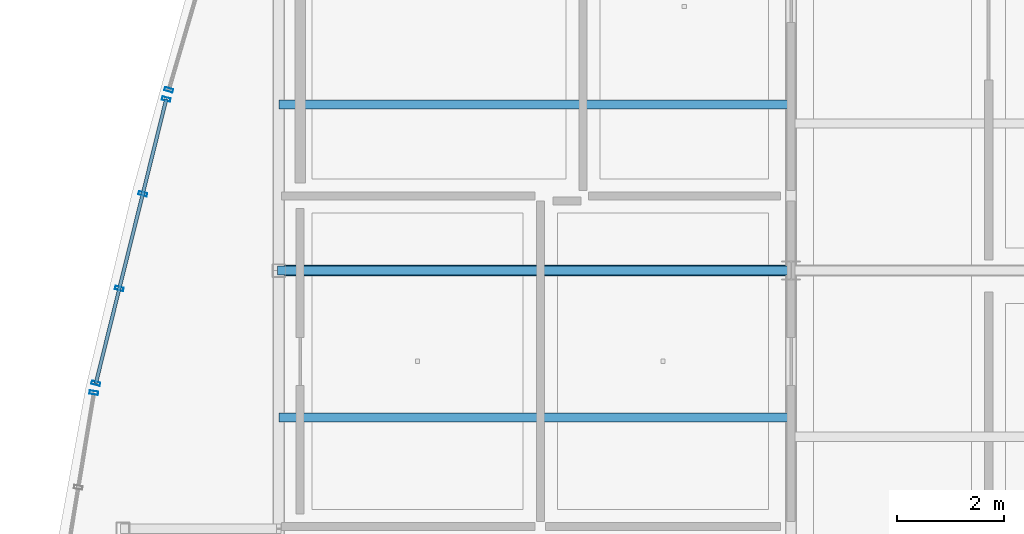
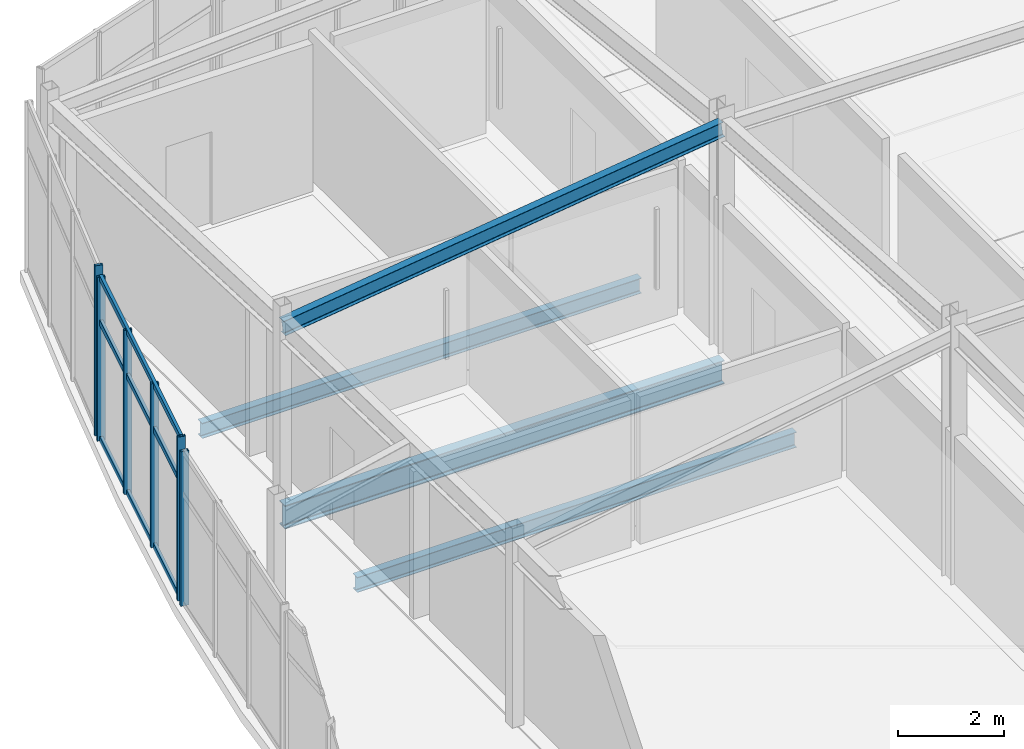
# One storey, part 28 of 114: 10 members, 3 beams, 3 elements without a shape of their own.
"""IFC4 building model written with IfcOpenShell, lengths in metres."""

from ifc_helpers import new_model, si_unit, direction, frame, origin, origin_2d, place, context, subcontext, project, spatial, hollow_rectangle, i_section, extrude, material, layer, layer_set, material_profile, profile_set, type_object, element, aggregate, save


model = new_model("IFC4")

# Units and contexts
model_context = context("Model", 3, precision=1e-05, world=origin(), true_north=direction((0.0, 1.0)))
body_context = subcontext(model_context, "Body", "Model", "MODEL_VIEW")
ifc_project = project(units=[si_unit("LENGTHUNIT", "METRE"), si_unit("AREAUNIT", "SQUARE_METRE"), si_unit("VOLUMEUNIT", "CUBIC_METRE"), si_unit("PLANEANGLEUNIT", "RADIAN"), si_unit("MASSUNIT", "GRAM", prefix="KILO")], contexts=[model_context])

# Site, building, storey
site_placement = place(None, origin())
site = spatial("IfcSite", under=ifc_project, at=site_placement, CompositionType="ELEMENT")
building_placement = place(site_placement, origin())
building = spatial("IfcBuilding", under=site, at=building_placement, Name="Chalmorin Arch Market", CompositionType="ELEMENT")
storey_placement = place(building_placement, frame((0.0, 0.0, 9.60009765625)))
storey = spatial("IfcBuildingStorey", under=building, at=storey_placement, Name="L02", CompositionType="ELEMENT", Elevation=9.60009765625)

# Curtain wall, member
ifc_material_1 = material(Name="Aluminium 6063-T6", Category="aluminium")
ifc_layer_1 = layer(ifc_material_1, 0.159912109375)
ifc_layer_set_1 = layer_set([ifc_layer_1], Name="Aluminium 6063-T6")
curtain_wall_type_1 = type_object("IfcCurtainWallType", Name="RiverfrontStorefrontCurtainWall-CW2-5390x3570", PredefinedType="NOTDEFINED", material=ifc_layer_set_1)
curtain_wall_1_placement = place(storey_placement, origin())
curtain_wall_1 = element("IfcCurtainWall", 1, at=curtain_wall_1_placement, inside=storey, type_object=curtain_wall_type_1, Name="CW-02-062", PredefinedType="NOTDEFINED")
ifc_material_profile_1 = material_profile(ifc_material_1, hollow_rectangle(XDim=0.06494140625, YDim=0.159912109375, WallThickness=0.00390625, at=origin_2d()), Name="ALU65X160X4")
ifc_profile_set_1 = profile_set([ifc_material_profile_1], Name="Aluminium 6063-T6")
member_type_1 = type_object("IfcMemberType", Name="CurtainWallMullion-65x160", PredefinedType="MULLION", material=ifc_profile_set_1)
member_1_placement = place(storey_placement, frame((-3.464599609375, 38.9111328125, 0.0), z_axis=(0.0, 0.0, 1.0), x_axis=(0.15643446504, 0.987688340595, 0.0)))
member_1 = element("IfcMember", 2, at=member_1_placement, type_object=member_type_1, Name="ML-062-04", PredefinedType="MULLION", context=body_context, shape_type="SweptSolid", body=[
    extrude(hollow_rectangle(XDim=0.06494140625, YDim=0.159912109375, WallThickness=0.00390625, at=origin_2d()), origin(), (0.0, 0.0, 1.0), 3.56982421875),
])
aggregate(curtain_wall_1, [member_1])

# Curtain wall, members
ifc_layer_2 = layer(ifc_material_1, 0.159912109375)
ifc_layer_set_2 = layer_set([ifc_layer_2], Name="Aluminium 6063-T6")
curtain_wall_type_2 = type_object("IfcCurtainWallType", Name="RiverfrontStorefrontCurtainWall-CW2-5490x3780", PredefinedType="NOTDEFINED", material=ifc_layer_set_2)
curtain_wall_2_placement = place(storey_placement, origin())
curtain_wall_2 = element("IfcCurtainWall", 3, at=curtain_wall_2_placement, inside=storey, type_object=curtain_wall_type_2, Name="CW-02-065", PredefinedType="NOTDEFINED")
member_2_placement = place(storey_placement, frame((-3.428466796875, 39.08740234375, 0.0), z_axis=(0.0, 0.0, 1.0), x_axis=(0.2419218956, 0.970295726276, 0.0)))
member_2 = element("IfcMember", 4, at=member_2_placement, type_object=member_type_1, Name="ML-065-01", PredefinedType="MULLION", context=body_context, shape_type="SweptSolid", body=[
    extrude(hollow_rectangle(XDim=0.06494140625, YDim=0.159912109375, WallThickness=0.00390625, at=origin_2d()), origin(), (0.0, 0.0, 1.0), 3.784912109375),
])
member_3_placement = place(storey_placement, frame((-2.988525390625, 40.862548828125, 0.0), z_axis=(0.0, 0.0, 1.0), x_axis=(0.2419218956, 0.970295726276, 0.0)))
member_3 = element("IfcMember", 5, at=member_3_placement, type_object=member_type_1, Name="ML-065-02", PredefinedType="MULLION", context=body_context, shape_type="SweptSolid", body=[
    extrude(hollow_rectangle(XDim=0.06494140625, YDim=0.159912109375, WallThickness=0.00390625, at=origin_2d()), origin(), (0.0, 0.0, 1.0), 3.784912109375),
])
member_4_placement = place(storey_placement, frame((-2.548583984375, 42.637451171875, 0.0), z_axis=(0.0, 0.0, 1.0), x_axis=(0.2419218956, 0.970295726276, 0.0)))
member_4 = element("IfcMember", 6, at=member_4_placement, type_object=member_type_1, Name="ML-065-03", PredefinedType="MULLION", context=body_context, shape_type="SweptSolid", body=[
    extrude(hollow_rectangle(XDim=0.06494140625, YDim=0.159912109375, WallThickness=0.00390625, at=origin_2d()), origin(), (0.0, 0.0, 1.0), 3.784912109375),
])
member_5_placement = place(storey_placement, frame((-2.108642578125, 44.41259765625, 0.0), z_axis=(0.0, 0.0, 1.0), x_axis=(0.2419218956, 0.970295726276, 0.0)))
member_5 = element("IfcMember", 7, at=member_5_placement, type_object=member_type_1, Name="ML-065-04", PredefinedType="MULLION", context=body_context, shape_type="SweptSolid", body=[
    extrude(hollow_rectangle(XDim=0.06494140625, YDim=0.159912109375, WallThickness=0.00390625, at=origin_2d()), origin(), (0.0, 0.0, 1.0), 3.784912109375),
])

# Curtain wall, member
ifc_layer_3 = layer(ifc_material_1, 0.159912109375)
ifc_layer_set_3 = layer_set([ifc_layer_3], Name="Aluminium 6063-T6")
curtain_wall_type_3 = type_object("IfcCurtainWallType", Name="RiverfrontStorefrontCurtainWall-CW2-5550x3930", PredefinedType="NOTDEFINED", material=ifc_layer_set_3)
curtain_wall_3_placement = place(storey_placement, origin())
curtain_wall_3 = element("IfcCurtainWall", 8, at=curtain_wall_3_placement, inside=storey, type_object=curtain_wall_type_3, Name="CW-02-068", PredefinedType="NOTDEFINED")
member_6_placement = place(storey_placement, frame((-2.061767578125, 44.58642578125, 0.0), z_axis=(0.0, 0.0, 1.0), x_axis=(0.275637355817, 0.961261695938, 0.0)))
member_6 = element("IfcMember", 9, at=member_6_placement, type_object=member_type_1, Name="ML-068-01", PredefinedType="MULLION", context=body_context, shape_type="SweptSolid", body=[
    extrude(hollow_rectangle(XDim=0.06494140625, YDim=0.159912109375, WallThickness=0.00390625, at=origin_2d()), origin(), (0.0, 0.0, 1.0), 3.927001953125),
])
aggregate(curtain_wall_3, [member_6])

# Member
ifc_material_profile_2 = material_profile(ifc_material_1, hollow_rectangle(XDim=0.06494140625, YDim=0.1298828125, WallThickness=0.00390625, at=origin_2d()), Name="ALU65X130X4")
ifc_profile_set_2 = profile_set([ifc_material_profile_2], Name="Aluminium 6063-T6")
member_type_2 = type_object("IfcMemberType", Name="CurtainWallTransom-65x130", PredefinedType="USERDEFINED", material=ifc_profile_set_2)
member_7_placement = place(storey_placement, frame((-3.428466796875, 39.08740234375, 0.034912109375), z_axis=(0.240566657981, 0.970632620031, 0.0), x_axis=(-0.970632620031, 0.240566657981, 0.0)))
member_7 = element("IfcMember", 10, at=member_7_placement, type_object=member_type_2, Name="TR-065-01", ObjectType="TRANSOM", PredefinedType="USERDEFINED", context=body_context, shape_type="SweptSolid", body=[
    extrude(hollow_rectangle(XDim=0.06494140625, YDim=0.1298828125, WallThickness=0.00390625, at=origin_2d()), origin(), (0.0, 0.0, 1.0), 5.486328125),
])

member_8_placement = place(storey_placement, frame((-3.428466796875, 39.08740234375, 2.72509765625), z_axis=(0.240566657981, 0.970632620031, 0.0), x_axis=(-0.970632620031, 0.240566657981, 0.0)))
member_8 = element("IfcMember", 11, at=member_8_placement, type_object=member_type_2, Name="TR-065-02", ObjectType="TRANSOM", PredefinedType="USERDEFINED", context=body_context, shape_type="SweptSolid", body=[
    extrude(hollow_rectangle(XDim=0.06494140625, YDim=0.1298828125, WallThickness=0.00390625, at=origin_2d()), origin(), (0.0, 0.0, 1.0), 5.486328125),
])

member_9_placement = place(storey_placement, frame((-3.428466796875, 39.08740234375, 3.75), z_axis=(0.240566657981, 0.970632620031, 0.0), x_axis=(-0.970632620031, 0.240566657981, 0.0)))
member_9 = element("IfcMember", 12, at=member_9_placement, type_object=member_type_2, Name="TR-065-03", ObjectType="TRANSOM", PredefinedType="USERDEFINED", context=body_context, shape_type="SweptSolid", body=[
    extrude(hollow_rectangle(XDim=0.06494140625, YDim=0.1298828125, WallThickness=0.00390625, at=origin_2d()), origin(), (0.0, 0.0, 1.0), 5.486328125),
])

aggregate(curtain_wall_2, [member_2, member_3, member_4, member_5, member_7, member_8, member_9])

# Beam
ifc_material_2 = material(Name="Steel A992 Grade 50", Category="steel")
ifc_material_profile_3 = material_profile(ifc_material_2, i_section(OverallWidth=0.2119140625, OverallDepth=0.5439453125, WebThickness=0.01318359375, FlangeThickness=0.021240234375, FilletRadius=0.02197265625, at=origin_2d()), Name="W21X83")
ifc_profile_set_3 = profile_set([ifc_material_profile_3], Name="Steel A992 Grade 50")
beam_type_1 = type_object("IfcBeamType", Name="PrimarySteelGirder-W21X83", PredefinedType="BEAM", material=ifc_profile_set_3)
beam_placement = place(storey_placement, frame((0.0, 41.199951171875, -0.524169921875), z_axis=(1.0, 0.0, 0.0), x_axis=(0.0, 1.0, 0.0)))
element("IfcBeam", 13, at=beam_placement, inside=storey, type_object=beam_type_1, Name="BG-W21A-1144", PredefinedType="BEAM", context=body_context, shape_type="SweptSolid", body=[
    extrude(i_section(OverallWidth=0.2119140625, OverallDepth=0.5439453125, WebThickness=0.01318359375, FlangeThickness=0.021240234375, FilletRadius=0.02197265625, at=origin_2d()), origin(), (0.0, 0.0, 1.0), 9.60009765625),
])

# Member
ifc_material_profile_4 = material_profile(ifc_material_2, i_section(OverallWidth=0.1708984375, OverallDepth=0.35107421875, WebThickness=0.0068359375, FlangeThickness=0.009765625, FilletRadius=0.014892578125, at=origin_2d()), Name="W14X30")
ifc_profile_set_4 = profile_set([ifc_material_profile_4], Name="Steel A992 Grade 50")
member_type_3 = type_object("IfcMemberType", Name="RoofSteelPurlin-W14X30", PredefinedType="PURLIN", material=ifc_profile_set_4)
member_10_placement = place(storey_placement, frame((0.0, 41.199951171875, 3.822998046875), z_axis=(0.991697027982, 0.0, 0.128596285684), x_axis=(0.0, 1.0, 0.0)))
element("IfcMember", 14, at=member_10_placement, inside=storey, type_object=member_type_3, Name="PR-W14-0028", PredefinedType="PURLIN", context=body_context, shape_type="SweptSolid", body=[
    extrude(i_section(OverallWidth=0.1708984375, OverallDepth=0.35107421875, WebThickness=0.0068359375, FlangeThickness=0.009765625, FilletRadius=0.014892578125, at=origin_2d()), origin(), (0.0, 0.0, 1.0), 9.680419921875),
])

# Beams
ifc_material_profile_5 = material_profile(ifc_material_2, i_section(OverallWidth=0.1708984375, OverallDepth=0.35107421875, WebThickness=0.0068359375, FlangeThickness=0.009765625, FilletRadius=0.014892578125, at=origin_2d()), Name="W14X30")
ifc_profile_set_5 = profile_set([ifc_material_profile_5], Name="Steel A992 Grade 50")
beam_type_2 = type_object("IfcBeamType", Name="SecondaryFloorJoist-W14X30", PredefinedType="JOIST", material=ifc_profile_set_5)
for number, where, z_axis, x_axis, name in (
    (15, (0.0, 38.44677734375, -0.427490234375), (1.0, 0.0, 0.0), (0.0, 1.0, 0.0), "BJ-W14-1188"),
    (16, (0.0, 44.313232421875, -0.427490234375), (1.0, 0.0, 0.0), (0.0, 1.0, 0.0), "BJ-W14-1189"),
):
    element("IfcBeam", number, at=place(storey_placement, frame(where, z_axis=z_axis, x_axis=x_axis)), inside=storey, type_object=beam_type_2, Name=name, PredefinedType="JOIST", context=body_context, shape_type="SweptSolid", body=[
        extrude(i_section(OverallWidth=0.1708984375, OverallDepth=0.35107421875, WebThickness=0.0068359375, FlangeThickness=0.009765625, FilletRadius=0.014892578125, at=origin_2d()), origin(), (0.0, 0.0, 1.0), 9.60009765625),
    ])

save(model, "model.ifc")
